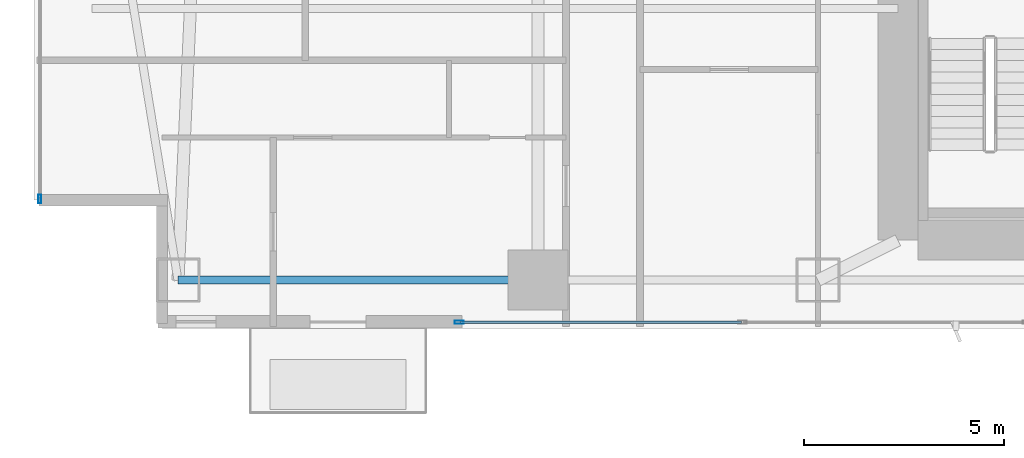
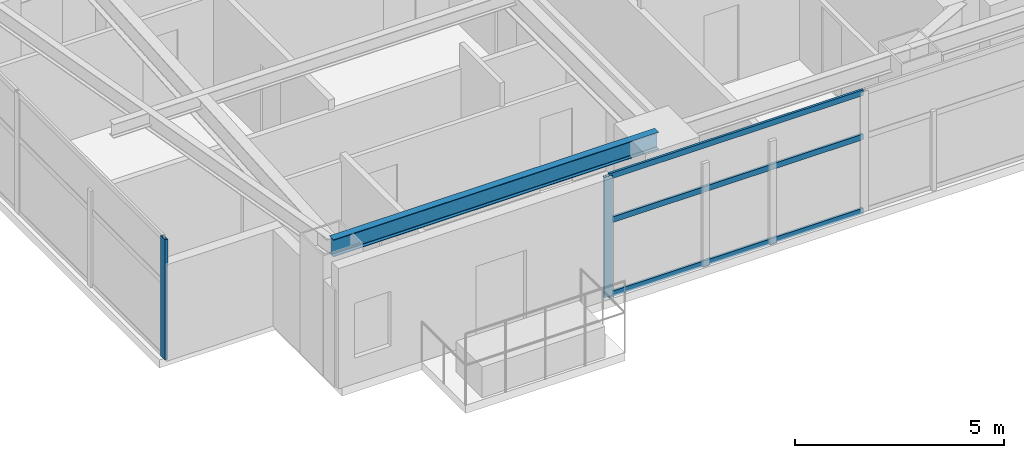
# One storey, part 2 of 28: 5 members, 1 beam, 2 elements without a shape of their own.
"""IFC4 building model written with IfcOpenShell, lengths in metres."""

from ifc_helpers import new_model, si_unit, direction, frame, origin, origin_2d, place, context, subcontext, project, spatial, hollow_rectangle, i_section, extrude, material, layer, layer_set, material_profile, profile_set, type_object, element, aggregate, save


model = new_model("IFC4")

# Units and contexts
model_context = context("Model", 3, precision=1e-05, world=origin(), true_north=direction((0.0, 1.0)))
body_context = subcontext(model_context, "Body", "Model", "MODEL_VIEW")
ifc_project = project(units=[si_unit("LENGTHUNIT", "METRE"), si_unit("AREAUNIT", "SQUARE_METRE"), si_unit("VOLUMEUNIT", "CUBIC_METRE"), si_unit("PLANEANGLEUNIT", "RADIAN"), si_unit("MASSUNIT", "GRAM", prefix="KILO")], contexts=[model_context])

# Site, building, storey
site_placement = place(None, origin())
site = spatial("IfcSite", under=ifc_project, at=site_placement, CompositionType="ELEMENT")
building_placement = place(site_placement, origin())
building = spatial("IfcBuilding", under=site, at=building_placement, Name="Calvorn Quay Hotel", CompositionType="ELEMENT")
storey_placement = place(building_placement, frame((0.0, 0.0, 88.800048828125)))
storey = spatial("IfcBuildingStorey", under=building, at=storey_placement, Name="L21", CompositionType="ELEMENT", Elevation=88.800048828125)

# Beam
ifc_material_1 = material(Name="Steel Q355B", Category="steel")
ifc_material_profile_1 = material_profile(ifc_material_1, i_section(OverallWidth=0.199951171875, OverallDepth=0.5, WebThickness=0.010009765625, FlangeThickness=0.01611328125, FilletRadius=0.01611328125, at=origin_2d()), Name="HN500x200x10x16")
ifc_profile_set_1 = profile_set([ifc_material_profile_1], Name="Steel Q355B")
beam_type = type_object("IfcBeamType", Name="BM-SPANDREL-Z1", PredefinedType="SPANDREL", material=ifc_profile_set_1)
beam_placement = place(storey_placement, frame((3.60009765625, 3.60009765625, 3.27001953125), z_axis=(1.0, 0.0, 0.0), x_axis=(0.0, 1.0, 0.0)))
element("IfcBeam", 1, at=beam_placement, inside=storey, type_object=beam_type, Name="Beam BSP-L21-S1", PredefinedType="SPANDREL", context=body_context, shape_type="SweptSolid", body=[
    extrude(i_section(OverallWidth=0.199951171875, OverallDepth=0.5, WebThickness=0.010009765625, FlangeThickness=0.01611328125, FilletRadius=0.01611328125, at=origin_2d()), origin(), (0.0, 0.0, 1.0), 9.0),
])

# Curtain wall, member
ifc_material_2 = material(Name="Pale Anodised Aluminium and Low-E Glass", Category="aluminium")
ifc_layer = layer(ifc_material_2, 0.219970703125)
ifc_layer_set = layer_set([ifc_layer], Name="CW-SYS-Z1")
curtain_wall_type = type_object("IfcCurtainWallType", Name="CW-SYS-Z1", PredefinedType="NOTDEFINED", material=ifc_layer_set)
curtain_wall_1_placement = place(storey_placement, origin())
curtain_wall_1 = element("IfcCurtainWall", 2, at=curtain_wall_1_placement, inside=storey, type_object=curtain_wall_type, Name="Tower West Curtain Wall (L21)", PredefinedType="NOTDEFINED")
ifc_material_3 = material(Name="Pale Anodised Aluminium 6063-T6", Category="aluminium")
ifc_material_profile_2 = material_profile(ifc_material_3, hollow_rectangle(XDim=0.074951171875, YDim=0.219970703125, WallThickness=0.00439453125, at=origin_2d()), Name="ALU-M220x75x4.5")
ifc_profile_set_2 = profile_set([ifc_material_profile_2], Name="Pale Anodised Aluminium 6063-T6")
member_type_1 = type_object("IfcMemberType", Name="CW-SYS-Z1-MUL", PredefinedType="MULLION", material=ifc_profile_set_2)
member_1_placement = place(storey_placement, frame((0.14990234375, 5.6298828125, 0.0), z_axis=(0.0, 0.0, 1.0), x_axis=(-1.0, 0.0, 0.0)))
member_1 = element("IfcMember", 3, at=member_1_placement, type_object=member_type_1, Name="CW-L21-W mullion 1", PredefinedType="MULLION", context=body_context, shape_type="SweptSolid", body=[
    extrude(hollow_rectangle(XDim=0.074951171875, YDim=0.219970703125, WallThickness=0.00439453125, at=origin_2d()), origin(), (0.0, 0.0, 1.0), 3.52001953125),
])
aggregate(curtain_wall_1, [member_1])

# Curtain wall, members
curtain_wall_2_placement = place(storey_placement, origin())
curtain_wall_2 = element("IfcCurtainWall", 4, at=curtain_wall_2_placement, inside=storey, type_object=curtain_wall_type, Name="Tower South Waterfront Curtain Wall (L21)", PredefinedType="NOTDEFINED")
member_2_placement = place(storey_placement, frame((10.6298828125, 2.550048828125, 0.0), z_axis=(0.0, 0.0, 1.0), x_axis=(0.0, 1.0, 0.0)))
member_2 = element("IfcMember", 5, at=member_2_placement, type_object=member_type_1, Name="CW-L21-S mullion 1", PredefinedType="MULLION", context=body_context, shape_type="SweptSolid", body=[
    extrude(hollow_rectangle(XDim=0.074951171875, YDim=0.219970703125, WallThickness=0.00439453125, at=origin_2d()), origin(), (0.0, 0.0, 1.0), 3.52001953125),
])
ifc_material_4 = material(Name="Pale Anodised Aluminium 6063-T6", Category="aluminium")
ifc_material_profile_3 = material_profile(ifc_material_4, hollow_rectangle(XDim=0.06494140625, YDim=0.1650390625, WallThickness=0.00341796875, at=origin_2d()), Name="ALU-T165x65x3.5")
ifc_profile_set_3 = profile_set([ifc_material_profile_3], Name="Pale Anodised Aluminium 6063-T6")
member_type_2 = type_object("IfcMemberType", Name="CW-SYS-Z1-TRN", PredefinedType="USERDEFINED", material=ifc_profile_set_3)
member_3_placement = place(storey_placement, frame((10.659912109375, 2.550048828125, 0.030029296875), z_axis=(1.0, 0.0, 0.0), x_axis=(0.0, 1.0, 0.0)))
member_3 = element("IfcMember", 6, at=member_3_placement, type_object=member_type_2, Name="CW-L21-S transom 1.1", ObjectType="TRANSOM", PredefinedType="USERDEFINED", context=body_context, shape_type="SweptSolid", body=[
    extrude(hollow_rectangle(XDim=0.06494140625, YDim=0.1650390625, WallThickness=0.00341796875, at=origin_2d()), origin(), (0.0, 0.0, 1.0), 7.0244140625),
])
member_4_placement = place(storey_placement, frame((10.659912109375, 2.550048828125, 2.199951171875), z_axis=(1.0, 0.0, 0.0), x_axis=(0.0, 1.0, 0.0)))
member_4 = element("IfcMember", 7, at=member_4_placement, type_object=member_type_2, Name="CW-L21-S transom 1.2", ObjectType="TRANSOM", PredefinedType="USERDEFINED", context=body_context, shape_type="SweptSolid", body=[
    extrude(hollow_rectangle(XDim=0.06494140625, YDim=0.1650390625, WallThickness=0.00341796875, at=origin_2d()), origin(), (0.0, 0.0, 1.0), 7.0244140625),
])
member_5_placement = place(storey_placement, frame((10.659912109375, 2.550048828125, 3.489990234375), z_axis=(1.0, 0.0, 0.0), x_axis=(0.0, 1.0, 0.0)))
member_5 = element("IfcMember", 8, at=member_5_placement, type_object=member_type_2, Name="CW-L21-S transom 1.3", ObjectType="TRANSOM", PredefinedType="USERDEFINED", context=body_context, shape_type="SweptSolid", body=[
    extrude(hollow_rectangle(XDim=0.06494140625, YDim=0.1650390625, WallThickness=0.00341796875, at=origin_2d()), origin(), (0.0, 0.0, 1.0), 7.0244140625),
])
aggregate(curtain_wall_2, [member_2, member_3, member_4, member_5])

save(model, "model.ifc")
